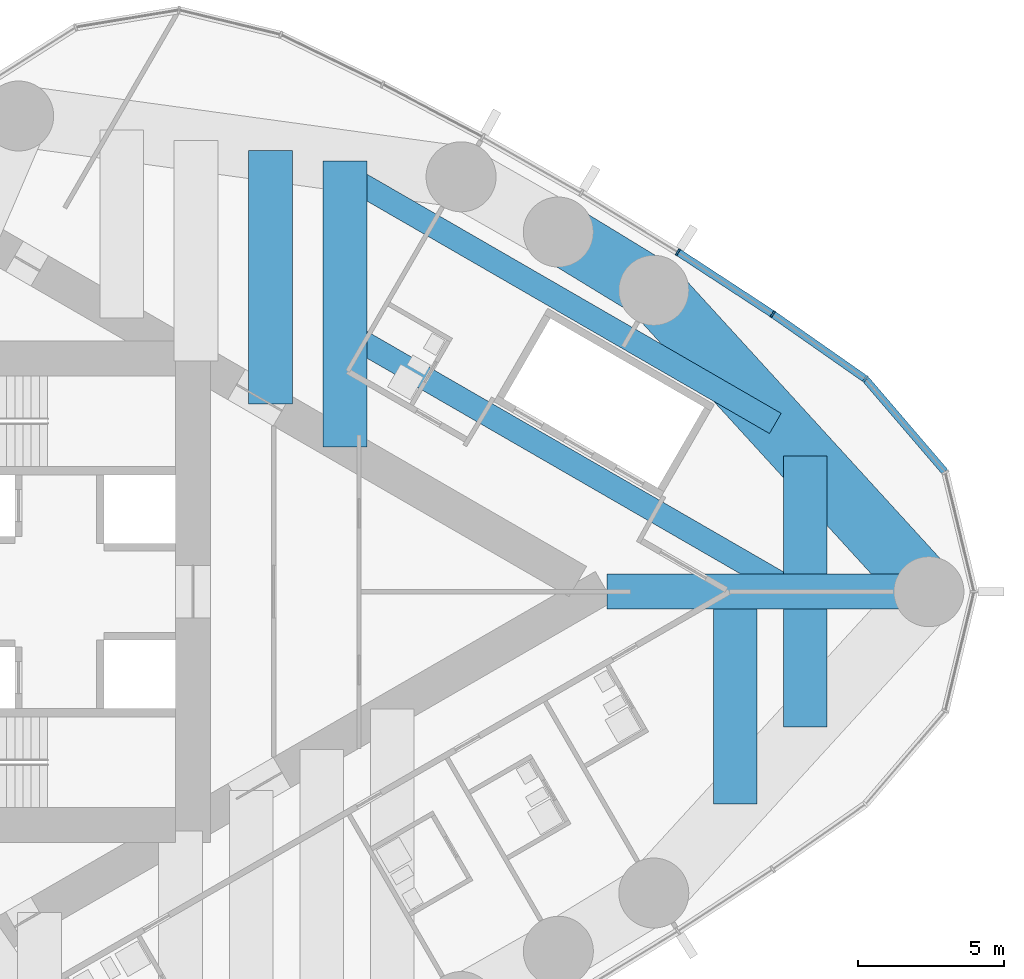
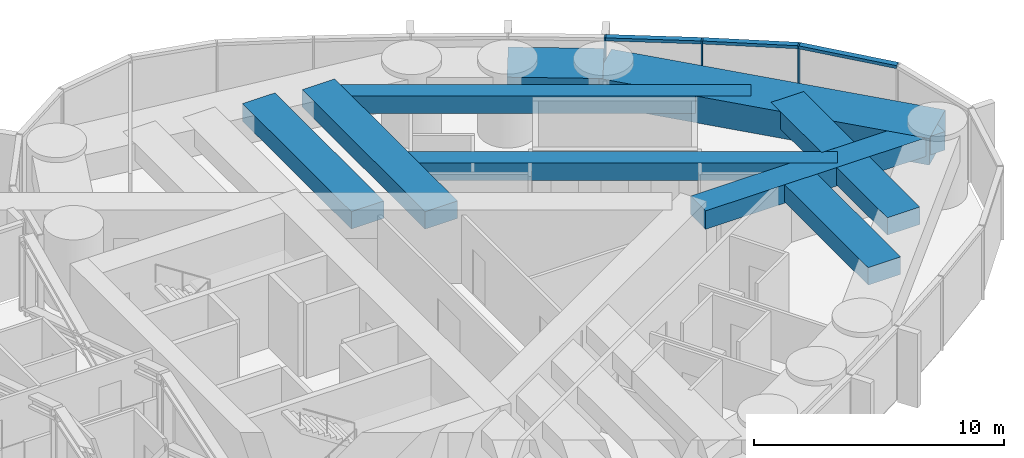
# One storey, part 10 of 23: 10 beams, 6 members, 1 element without a shape of its own.
"""IFC4 building model written with IfcOpenShell, lengths in metres."""

from ifc_helpers import new_model, si_unit, direction, frame, origin, origin_2d, place, context, subcontext, project, spatial, rectangle, hollow_rectangle, extrude, material, material_profile, profile_set, type_object, element, aggregate, save


model = new_model("IFC4")

# Units and contexts
model_context = context("Model", 3, precision=1e-05, world=origin(), true_north=direction((0.0, 1.0)))
body_context = subcontext(model_context, "Body", "Model", "MODEL_VIEW")
ifc_project = project(units=[si_unit("LENGTHUNIT", "METRE"), si_unit("AREAUNIT", "SQUARE_METRE"), si_unit("VOLUMEUNIT", "CUBIC_METRE"), si_unit("PLANEANGLEUNIT", "RADIAN"), si_unit("MASSUNIT", "GRAM", prefix="KILO")], contexts=[model_context])

# Site, building, storey
site_placement = place(None, origin())
site = spatial("IfcSite", under=ifc_project, at=site_placement, CompositionType="ELEMENT")
building_placement = place(site_placement, origin())
building = spatial("IfcBuilding", under=site, at=building_placement, Name="Lancet Gate Hotel", CompositionType="ELEMENT")
storey_placement = place(building_placement, frame((0.0, 0.0, 240.5)))
storey = spatial("IfcBuildingStorey", under=building, at=storey_placement, Name="L64", CompositionType="ELEMENT", Elevation=240.5)

# Curtain wall, members
ifc_material_1 = material(Name="Aluminium curtain wall", Category="aluminium")
curtain_wall_type = type_object("IfcCurtainWallType", Name="Tower unitised curtain wall", PredefinedType="USERDEFINED", material=ifc_material_1)
curtain_wall_placement = place(storey_placement, origin())
curtain_wall = element("IfcCurtainWall", 1, at=curtain_wall_placement, inside=storey, type_object=curtain_wall_type, Name="T2 L64 curtain wall 1", ObjectType="UNITISED CURTAIN WALL", PredefinedType="USERDEFINED")
ifc_material_2 = material(Name="Aluminium mullion", Category="aluminium")
ifc_material_profile_1 = material_profile(ifc_material_2, rectangle(XDim=0.06494140625, YDim=0.25, at=origin_2d()), Name="MULLION 65x250")
ifc_profile_set_1 = profile_set([ifc_material_profile_1], Name="Aluminium mullion")
member_type_1 = type_object("IfcMemberType", Name="Aluminium mullion 65x250", PredefinedType="MULLION", material=ifc_profile_set_1)
member_1_placement = place(storey_placement, frame((60.367431640625, 7.291259765625, 0.0), z_axis=(0.0, 0.0, 1.0), x_axis=(-0.737323173512, 0.675540182226, 0.0)))
member_1 = element("IfcMember", 2, at=member_1_placement, type_object=member_type_1, Name="T2 L64 curtain wall 1 mullion 16", PredefinedType="MULLION", context=body_context, shape_type="SweptSolid", body=[
    extrude(rectangle(XDim=0.06494140625, YDim=0.25, at=origin_2d()), origin(), (0.0, 0.0, 1.0), 3.60009765625),
])
member_2_placement = place(storey_placement, frame((57.185791015625, 9.518310546875, 0.0), z_axis=(0.0, 0.0, 1.0), x_axis=(-0.828154697184, 0.560499596371, 0.0)))
member_2 = element("IfcMember", 3, at=member_2_placement, type_object=member_type_1, Name="T2 L64 curtain wall 1 mullion 17", PredefinedType="MULLION", context=body_context, shape_type="SweptSolid", body=[
    extrude(rectangle(XDim=0.06494140625, YDim=0.25, at=origin_2d()), origin(), (0.0, 0.0, 1.0), 3.60009765625),
])
member_3_placement = place(storey_placement, frame((53.935791015625, 11.644287109375, 0.0), z_axis=(0.0, 0.0, 1.0), x_axis=(-0.845339753513, 0.534229071777, 0.0)))
member_3 = element("IfcMember", 4, at=member_3_placement, type_object=member_type_1, Name="T2 L64 curtain wall 1 mullion 18", PredefinedType="MULLION", context=body_context, shape_type="SweptSolid", body=[
    extrude(rectangle(XDim=0.06494140625, YDim=0.25, at=origin_2d()), origin(), (0.0, 0.0, 1.0), 3.60009765625),
])
ifc_material_3 = material(Name="Aluminium transom", Category="aluminium")
ifc_material_profile_2 = material_profile(ifc_material_3, rectangle(XDim=0.25, YDim=0.14990234375, at=origin_2d()), Name="TRANSOM 250x150")
ifc_profile_set_2 = profile_set([ifc_material_profile_2], Name="Aluminium transom")
member_type_2 = type_object("IfcMemberType", Name="Aluminium transom 250x150", PredefinedType="USERDEFINED", material=ifc_profile_set_2)
member_4_placement = place(storey_placement, frame((63.08544921875, 4.118408203125, 3.52490234375), z_axis=(-0.650592500186, 0.759427019997, 0.0), x_axis=(-0.759427019997, -0.650592500186, 0.0)))
member_4 = element("IfcMember", 5, at=member_4_placement, type_object=member_type_2, Name="T2 L64 curtain wall 1 transom 15", ObjectType="TRANSOM", PredefinedType="USERDEFINED", context=body_context, shape_type="SweptSolid", body=[
    extrude(rectangle(XDim=0.25, YDim=0.14990234375, at=origin_2d()), origin(), (0.0, 0.0, 1.0), 4.1455078125),
])
member_5_placement = place(storey_placement, frame((60.3408203125, 7.31005859375, 3.52490234375), z_axis=(-0.819255948852, 0.573428016642, 0.0), x_axis=(-0.573428016642, -0.819255948852, 0.0)))
member_5 = element("IfcMember", 6, at=member_5_placement, type_object=member_type_2, Name="T2 L64 curtain wall 1 transom 16", ObjectType="TRANSOM", PredefinedType="USERDEFINED", context=body_context, shape_type="SweptSolid", body=[
    extrude(rectangle(XDim=0.25, YDim=0.14990234375, at=origin_2d()), origin(), (0.0, 0.0, 1.0), 3.818603515625),
])
member_6_placement = place(storey_placement, frame((57.158447265625, 9.5361328125, 3.52490234375), z_axis=(-0.836858089593, 0.547419891749, 0.0), x_axis=(-0.547419891749, -0.836858089593, 0.0)))
member_6 = element("IfcMember", 7, at=member_6_placement, type_object=member_type_2, Name="T2 L64 curtain wall 1 transom 17", ObjectType="TRANSOM", PredefinedType="USERDEFINED", context=body_context, shape_type="SweptSolid", body=[
    extrude(rectangle(XDim=0.25, YDim=0.14990234375, at=origin_2d()), origin(), (0.0, 0.0, 1.0), 3.818603515625),
])
aggregate(curtain_wall, [member_1, member_2, member_3, member_4, member_5, member_6])

# Beams
ifc_material_4 = material(Name="Concrete C50/60", Category="concrete")
ifc_material_profile_3 = material_profile(ifc_material_4, rectangle(XDim=2.10009765625, YDim=1.300048828125, at=origin_2d()), Name="RC 2100x1300")
ifc_profile_set_3 = profile_set([ifc_material_profile_3], Name="Concrete C50/60")
beam_type_1 = type_object("IfcBeamType", Name="Edge beam RC 2100x1300", PredefinedType="SPANDREL", material=ifc_profile_set_3)
beam_1_placement = place(storey_placement, frame((62.54150390625, 0.0, 2.699951171875), z_axis=(-0.674209372947, 0.738540263919, 0.0), x_axis=(-0.738540263919, -0.674209372947, 0.0)))
element("IfcBeam", 8, at=beam_1_placement, inside=storey, type_object=beam_type_1, Name="T2 edge beam EB1 L64", PredefinedType="SPANDREL", context=body_context, shape_type="SweptSolid", body=[
    extrude(rectangle(XDim=2.10009765625, YDim=1.300048828125, at=origin_2d()), origin(), (0.0, 0.0, 1.0), 13.992431640625),
])
beam_2_placement = place(storey_placement, frame((53.107666015625, 10.333984375, 2.699951171875), z_axis=(-0.853604257265, 0.520922040212, 0.0), x_axis=(-0.520922040212, -0.853604257265, 0.0)))
element("IfcBeam", 9, at=beam_2_placement, inside=storey, type_object=beam_type_1, Name="T2 edge beam EB1 L64", PredefinedType="SPANDREL", context=body_context, shape_type="SweptSolid", body=[
    extrude(rectangle(XDim=2.10009765625, YDim=1.300048828125, at=origin_2d()), origin(), (0.0, 0.0, 1.0), 3.835205078125),
])
ifc_material_5 = material(Name="Concrete C50/60", Category="concrete")
ifc_material_profile_4 = material_profile(ifc_material_5, rectangle(XDim=1.5, YDim=0.85009765625, at=origin_2d()), Name="RC 1500x850")
ifc_profile_set_4 = profile_set([ifc_material_profile_4], Name="Concrete C50/60")
beam_type_2 = type_object("IfcBeamType", Name="Floor beam RC 1500x850", PredefinedType="BEAM", material=ifc_profile_set_4)
beam_3_placement = place(storey_placement, frame((39.9658203125, 6.429443359375, 2.925048828125), z_axis=(0.0, 1.0, 0.0), x_axis=(-1.0, 0.0, 0.0)))
element("IfcBeam", 10, at=beam_3_placement, inside=storey, type_object=beam_type_2, Name="T2 floor beam F06N L64", PredefinedType="BEAM", context=body_context, shape_type="SweptSolid", body=[
    extrude(rectangle(XDim=1.5, YDim=0.85009765625, at=origin_2d()), origin(), (0.0, 0.0, 1.0), 8.694091796875),
])
beam_4_placement = place(storey_placement, frame((42.51904296875, 4.95556640625, 2.925048828125), z_axis=(0.0, 1.0, 0.0), x_axis=(-1.0, 0.0, 0.0)))
element("IfcBeam", 11, at=beam_4_placement, inside=storey, type_object=beam_type_2, Name="T2 floor beam F08N L64", PredefinedType="BEAM", context=body_context, shape_type="SweptSolid", body=[
    extrude(rectangle(XDim=1.5, YDim=0.85009765625, at=origin_2d()), origin(), (0.0, 0.0, 1.0), 9.817138671875),
])
beam_5_placement = place(storey_placement, frame((55.90234375, -7.272705078125, 2.925048828125), z_axis=(0.0, 1.0, 0.0), x_axis=(-1.0, 0.0, 0.0)))
element("IfcBeam", 12, at=beam_5_placement, inside=storey, type_object=beam_type_2, Name="T2 floor beam F10S L64", PredefinedType="BEAM", context=body_context, shape_type="SweptSolid", body=[
    extrude(rectangle(XDim=1.5, YDim=0.85009765625, at=origin_2d()), origin(), (0.0, 0.0, 1.0), 6.672607421875),
])
for number, where, z_axis, x_axis, name in (
    (13, (58.30224609375, -4.643798828125, 2.925048828125), (0.0, 1.0, 0.0), (-1.0, 0.0, 0.0), "T2 floor beam F12S L64"),
    (14, (58.30224609375, 0.60009765625, 2.925048828125), (0.0, 1.0, 0.0), (-1.0, 0.0, 0.0), "T2 floor beam F13N L64"),
):
    element("IfcBeam", number, at=place(storey_placement, frame(where, z_axis=z_axis, x_axis=x_axis)), inside=storey, type_object=beam_type_2, Name=name, PredefinedType="BEAM", context=body_context, shape_type="SweptSolid", body=[
        extrude(rectangle(XDim=1.5, YDim=0.85009765625, at=origin_2d()), origin(), (0.0, 0.0, 1.0), 4.043701171875),
    ])
ifc_material_6 = material(Name="Concrete C50/60", Category="concrete")
ifc_material_profile_5 = material_profile(ifc_material_6, rectangle(XDim=1.199951171875, YDim=0.89990234375, at=origin_2d()), Name="RC 1200x900")
ifc_profile_set_5 = profile_set([ifc_material_profile_5], Name="Concrete C50/60")
beam_type_3 = type_object("IfcBeamType", Name="Radial floor beam RC 1200x900", PredefinedType="BEAM", material=ifc_profile_set_5)
beam_6_placement = place(storey_placement, frame((62.54150390625, 0.0, 2.89990234375), z_axis=(-1.0, 0.0, 0.0), x_axis=(0.0, -1.0, 0.0)))
element("IfcBeam", 15, at=beam_6_placement, inside=storey, type_object=beam_type_3, Name="T2 radial beam CA L64", PredefinedType="BEAM", context=body_context, shape_type="SweptSolid", body=[
    extrude(rectangle(XDim=1.199951171875, YDim=0.89990234375, at=origin_2d()), origin(), (0.0, 0.0, 1.0), 11.039306640625),
])
ifc_material_7 = material(Name="Steel S460QL", Category="steel")
ifc_material_profile_6 = material_profile(ifc_material_7, hollow_rectangle(XDim=0.800048828125, YDim=0.85009765625, WallThickness=0.080078125, at=origin_2d()), Name="BOX 850x800x80")
ifc_profile_set_6 = profile_set([ifc_material_profile_6], Name="Steel S460QL")
beam_type_4 = type_object("IfcBeamType", Name="Trimmer beam BOX 850x800x80", PredefinedType="BEAM", material=ifc_profile_set_6)
beam_7_placement = place(storey_placement, frame((42.51904296875, 14.289794921875, 2.925048828125), z_axis=(0.865991109766, -0.500059394279, 0.0), x_axis=(0.500059394279, 0.865991109766, 0.0)))
element("IfcBeam", 16, at=beam_7_placement, inside=storey, type_object=beam_type_4, Name="T2 trimmer beam TR01N L64", PredefinedType="BEAM", context=body_context, shape_type="SweptSolid", body=[
    extrude(hollow_rectangle(XDim=0.800048828125, YDim=0.85009765625, WallThickness=0.080078125, at=origin_2d()), origin(), (0.0, 0.0, 1.0), 17.0390625),
])
beam_8_placement = place(storey_placement, frame((42.51904296875, 8.90185546875, 2.925048828125), z_axis=(0.865994419471, -0.500053662566, 0.0), x_axis=(0.500053662566, 0.865994419471, 0.0)))
element("IfcBeam", 17, at=beam_8_placement, inside=storey, type_object=beam_type_4, Name="T2 trimmer beam TR02N L64", PredefinedType="BEAM", context=body_context, shape_type="SweptSolid", body=[
    extrude(hollow_rectangle(XDim=0.800048828125, YDim=0.85009765625, WallThickness=0.080078125, at=origin_2d()), origin(), (0.0, 0.0, 1.0), 17.8017578125),
])

save(model, "model.ifc")
